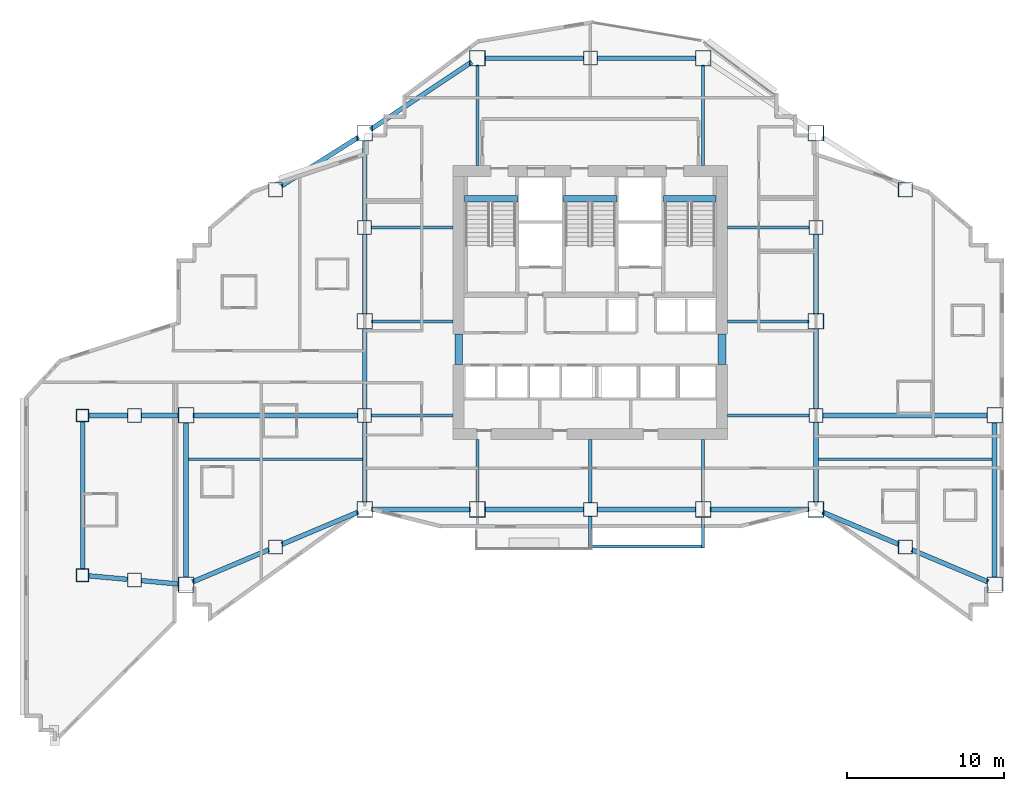
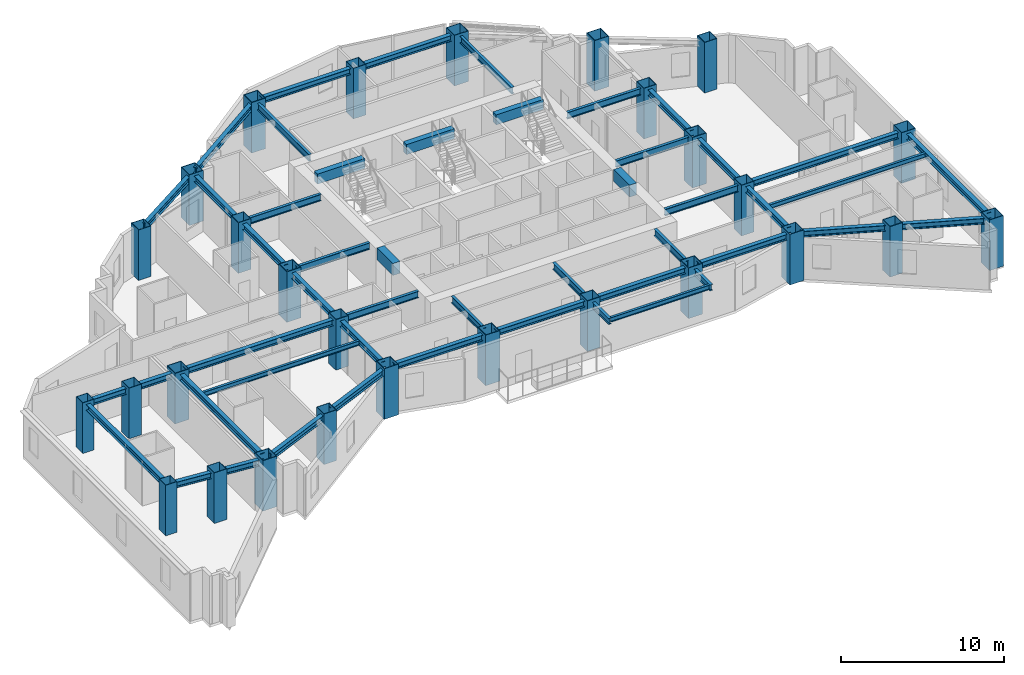
# One storey, part 1 of 14: 49 beams, 28 columns.
"""IFC4 building model written with IfcOpenShell, lengths in metres."""

from ifc_helpers import new_model, si_unit, direction, frame, origin, origin_2d, place, context, subcontext, project, spatial, rectangle, hollow_rectangle, i_section, extrude, material, material_profile, profile_set, type_object, element, save


model = new_model("IFC4")

# Units and contexts
model_context = context("Model", 3, precision=1e-05, world=origin(), true_north=direction((0.0, 1.0)))
body_context = subcontext(model_context, "Body", "Model", "MODEL_VIEW")
ifc_project = project(units=[si_unit("LENGTHUNIT", "METRE"), si_unit("AREAUNIT", "SQUARE_METRE"), si_unit("VOLUMEUNIT", "CUBIC_METRE"), si_unit("PLANEANGLEUNIT", "RADIAN"), si_unit("MASSUNIT", "GRAM", prefix="KILO")], contexts=[model_context])

# Site, building, storey
site_placement = place(None, origin())
site = spatial("IfcSite", under=ifc_project, at=site_placement, CompositionType="ELEMENT")
building_placement = place(site_placement, origin())
building = spatial("IfcBuilding", under=site, at=building_placement, Name="Haolan Belvedere Tower", CompositionType="ELEMENT")
storey_placement = place(building_placement, frame((0.0, 0.0, 113.60009765625)))
storey = spatial("IfcBuildingStorey", under=building, at=storey_placement, Name="L28", CompositionType="ELEMENT", Elevation=113.60009765625)

# Columns
ifc_material_1 = material(Name="Steel Q420GJC", Category="steel")
ifc_material_profile_1 = material_profile(ifc_material_1, hollow_rectangle(XDim=1.0, YDim=1.0, WallThickness=0.0380859375, at=origin_2d()), Name="Steel Q420GJC")
ifc_profile_set_1 = profile_set([ifc_material_profile_1], Name="Steel Q420GJC")
column_type_1 = type_object("IfcColumnType", Name="COL-BOX1000x1000x38", PredefinedType="COLUMN", material=ifc_profile_set_1)
for number, where, z_axis, x_axis, name in (
    (1, (24.0, 21.60009765625, 0.0), (0.0, 0.0, 1.0), (1.0, 0.0, 0.0), "L28 column MC-T3-SW (BOX1000x1000x38)"),
    (2, (24.0, 33.60009765625, 0.0), (0.0, 0.0, 1.0), (1.0, 0.0, 0.0), "L28 column MC-T3-MW (BOX1000x1000x38)"),
    (3, (24.0, 45.60009765625, 0.0), (0.0, 0.0, 1.0), (1.0, 0.0, 0.0), "L28 column MC-T3-NW (BOX1000x1000x38)"),
    (4, (52.800048828125, 21.60009765625, 0.0), (0.0, 0.0, 1.0), (1.0, 0.0, 0.0), "L28 column MC-T3-SE (BOX1000x1000x38)"),
    (5, (52.800048828125, 33.60009765625, 0.0), (0.0, 0.0, 1.0), (1.0, 0.0, 0.0), "L28 column MC-T3-ME (BOX1000x1000x38)"),
    (6, (52.800048828125, 45.60009765625, 0.0), (0.0, 0.0, 1.0), (1.0, 0.0, 0.0), "L28 column MC-T3-NE (BOX1000x1000x38)"),
    (7, (31.199951171875, 21.60009765625, 0.0), (0.0, 0.0, 1.0), (1.0, 0.0, 0.0), "L28 column MC-T3-S1 (BOX1000x1000x38)"),
    (8, (45.60009765625, 21.60009765625, 0.0), (0.0, 0.0, 1.0), (1.0, 0.0, 0.0), "L28 column MC-T3-S2 (BOX1000x1000x38)"),
    (9, (31.199951171875, 50.39990234375, 0.0), (0.0, 0.0, 1.0), (1.0, 0.0, 0.0), "L28 column MC-T3-N1 (BOX1000x1000x38)"),
    (10, (45.60009765625, 50.39990234375, 0.0), (0.0, 0.0, 1.0), (1.0, 0.0, 0.0), "L28 column MC-T3-N2 (BOX1000x1000x38)"),
    (11, (12.60009765625, 16.800048828125, 0.0), (0.0, 0.0, 1.0), (1.0, 0.0, 0.0), "L28 column MC-T2-SW (BOX1000x1000x38)"),
    (12, (12.60009765625, 27.60009765625, 0.0), (0.0, 0.0, 1.0), (1.0, 0.0, 0.0), "L28 column MC-T2-MW (BOX1000x1000x38)"),
    (13, (64.199951171875, 16.800048828125, 0.0), (0.0, 0.0, 1.0), (1.0, 0.0, 0.0), "L28 column MC-T4-SE (BOX1000x1000x38)"),
    (14, (64.199951171875, 27.60009765625, 0.0), (0.0, 0.0, 1.0), (1.0, 0.0, 0.0), "L28 column MC-T4-ME (BOX1000x1000x38)"),
):
    element("IfcColumn", number, at=place(storey_placement, frame(where, z_axis=z_axis, x_axis=x_axis)), inside=storey, type_object=column_type_1, Name=name, PredefinedType="COLUMN", context=body_context, shape_type="SweptSolid", body=[
        extrude(hollow_rectangle(XDim=1.0, YDim=1.0, WallThickness=0.0380859375, at=origin_2d()), origin(), (0.0, 0.0, 1.0), 3.7998046875),
    ])
ifc_material_2 = material(Name="Steel Q390GJC", Category="steel")
ifc_material_profile_2 = material_profile(ifc_material_2, hollow_rectangle(XDim=0.800048828125, YDim=0.800048828125, WallThickness=0.030029296875, at=origin_2d()), Name="Steel Q390GJC")
ifc_profile_set_2 = profile_set([ifc_material_profile_2], Name="Steel Q390GJC")
column_type_2 = type_object("IfcColumnType", Name="COL-BOX800x800x30", PredefinedType="COLUMN", material=ifc_profile_set_2)
for number, where, z_axis, x_axis, name in (
    (15, (6.0, 17.39990234375, 0.0), (0.0, 0.0, 1.0), (1.0, 0.0, 0.0), "L28 column MC-T1-SW (BOX800x800x30)"),
    (16, (6.0, 27.60009765625, 0.0), (0.0, 0.0, 1.0), (1.0, 0.0, 0.0), "L28 column MC-T1-NW (BOX800x800x30)"),
):
    element("IfcColumn", number, at=place(storey_placement, frame(where, z_axis=z_axis, x_axis=x_axis)), inside=storey, type_object=column_type_2, Name=name, PredefinedType="COLUMN", context=body_context, shape_type="SweptSolid", body=[
        extrude(hollow_rectangle(XDim=0.800048828125, YDim=0.800048828125, WallThickness=0.030029296875, at=origin_2d()), origin(), (0.0, 0.0, 1.0), 3.7998046875),
    ])
ifc_material_profile_3 = material_profile(ifc_material_2, hollow_rectangle(XDim=0.89990234375, YDim=0.89990234375, WallThickness=0.033935546875, at=origin_2d()), Name="Steel Q390GJC")
ifc_profile_set_3 = profile_set([ifc_material_profile_3], Name="Steel Q390GJC")
column_type_3 = type_object("IfcColumnType", Name="COL-BOX900x900x34", PredefinedType="COLUMN", material=ifc_profile_set_3)
for number, where, z_axis, x_axis, name in (
    (17, (24.0, 27.60009765625, 0.0), (0.0, 0.0, 1.0), (1.0, 0.0, 0.0), "L28 column TC-T3-W1 (BOX900x900x34)"),
    (18, (24.0, 39.60009765625, 0.0), (0.0, 0.0, 1.0), (1.0, 0.0, 0.0), "L28 column TC-T3-W2 (BOX900x900x34)"),
    (19, (52.800048828125, 27.60009765625, 0.0), (0.0, 0.0, 1.0), (1.0, 0.0, 0.0), "L28 column TC-T3-E1 (BOX900x900x34)"),
    (20, (52.800048828125, 39.60009765625, 0.0), (0.0, 0.0, 1.0), (1.0, 0.0, 0.0), "L28 column TC-T3-E2 (BOX900x900x34)"),
    (21, (38.39990234375, 21.60009765625, 0.0), (0.0, 0.0, 1.0), (1.0, 0.0, 0.0), "L28 column TC-T3-SM (BOX900x900x34)"),
    (22, (38.39990234375, 50.39990234375, 0.0), (0.0, 0.0, 1.0), (1.0, 0.0, 0.0), "L28 column TC-T3-NM (BOX900x900x34)"),
    (23, (18.300048828125, 19.199951171875, 0.0), (0.0, 0.0, 1.0), (1.0, 0.0, 0.0), "L28 column TC-T2-S1 (BOX900x900x34)"),
    (24, (18.300048828125, 42.0, 0.0), (0.0, 0.0, 1.0), (1.0, 0.0, 0.0), "L28 column TC-T2-N1 (BOX900x900x34)"),
    (25, (58.5, 19.199951171875, 0.0), (0.0, 0.0, 1.0), (1.0, 0.0, 0.0), "L28 column TC-T4-S1 (BOX900x900x34)"),
    (26, (58.5, 42.0, 0.0), (0.0, 0.0, 1.0), (1.0, 0.0, 0.0), "L28 column TC-T4-N1 (BOX900x900x34)"),
    (27, (9.300048828125, 17.10009765625, 0.0), (0.0, 0.0, 1.0), (1.0, 0.0, 0.0), "L28 column TC-T1-M1 (BOX900x900x34)"),
    (28, (9.300048828125, 27.60009765625, 0.0), (0.0, 0.0, 1.0), (1.0, 0.0, 0.0), "L28 column TC-T1-M2 (BOX900x900x34)"),
):
    element("IfcColumn", number, at=place(storey_placement, frame(where, z_axis=z_axis, x_axis=x_axis)), inside=storey, type_object=column_type_3, Name=name, PredefinedType="COLUMN", context=body_context, shape_type="SweptSolid", body=[
        extrude(hollow_rectangle(XDim=0.89990234375, YDim=0.89990234375, WallThickness=0.033935546875, at=origin_2d()), origin(), (0.0, 0.0, 1.0), 3.7998046875),
    ])

# Beams
ifc_material_3 = material(Name="Steel Q355B", Category="steel")
ifc_material_profile_4 = material_profile(ifc_material_3, i_section(OverallWidth=0.300048828125, OverallDepth=0.43994140625, WebThickness=0.010986328125, FlangeThickness=0.01806640625, FilletRadius=0.02392578125, at=origin_2d()), Name="Steel Q355B")
ifc_profile_set_4 = profile_set([ifc_material_profile_4], Name="Steel Q355B")
beam_type_1 = type_object("IfcBeamType", Name="BM-HM440x300x11x18", PredefinedType="SPANDREL", material=ifc_profile_set_4)
for number, where, z_axis, x_axis, name in (
    (29, (24.0, 22.050048828125, 3.3798828125), (0.0, 1.0, 0.0), (-1.0, 0.0, 0.0), "L28 spandrel girder MC-T3-SW-TC-T3-W1"),
    (30, (24.0, 28.050048828125, 3.3798828125), (0.0, 1.0, 0.0), (-1.0, 0.0, 0.0), "L28 spandrel girder TC-T3-W1-MC-T3-MW"),
    (31, (24.0, 34.050048828125, 3.3798828125), (0.0, 1.0, 0.0), (-1.0, 0.0, 0.0), "L28 spandrel girder MC-T3-MW-TC-T3-W2"),
    (32, (24.0, 40.050048828125, 3.3798828125), (0.0, 1.0, 0.0), (-1.0, 0.0, 0.0), "L28 spandrel girder TC-T3-W2-MC-T3-NW"),
    (33, (52.800048828125, 22.050048828125, 3.3798828125), (0.0, 1.0, 0.0), (-1.0, 0.0, 0.0), "L28 spandrel girder MC-T3-SE-TC-T3-E1"),
    (34, (52.800048828125, 28.050048828125, 3.3798828125), (0.0, 1.0, 0.0), (-1.0, 0.0, 0.0), "L28 spandrel girder TC-T3-E1-MC-T3-ME"),
    (35, (52.800048828125, 34.050048828125, 3.3798828125), (0.0, 1.0, 0.0), (-1.0, 0.0, 0.0), "L28 spandrel girder MC-T3-ME-TC-T3-E2"),
):
    element("IfcBeam", number, at=place(storey_placement, frame(where, z_axis=z_axis, x_axis=x_axis)), inside=storey, type_object=beam_type_1, Name=name, PredefinedType="SPANDREL", context=body_context, shape_type="SweptSolid", body=[
        extrude(i_section(OverallWidth=0.300048828125, OverallDepth=0.43994140625, WebThickness=0.010986328125, FlangeThickness=0.01806640625, FilletRadius=0.02392578125, at=origin_2d()), origin(), (0.0, 0.0, 1.0), 5.099853515625),
    ])
for number, where, z_axis, x_axis, name in (
    (36, (24.449951171875, 21.60009765625, 3.3798828125), (1.0, 0.0, 0.0), (0.0, 1.0, 0.0), "L28 spandrel girder MC-T3-SW-MC-T3-S1"),
    (37, (31.64990234375, 21.60009765625, 3.3798828125), (1.0, 0.0, 0.0), (0.0, 1.0, 0.0), "L28 spandrel girder MC-T3-S1-TC-T3-SM"),
):
    element("IfcBeam", number, at=place(storey_placement, frame(where, z_axis=z_axis, x_axis=x_axis)), inside=storey, type_object=beam_type_1, Name=name, PredefinedType="SPANDREL", context=body_context, shape_type="SweptSolid", body=[
        extrude(i_section(OverallWidth=0.300048828125, OverallDepth=0.43994140625, WebThickness=0.010986328125, FlangeThickness=0.01806640625, FilletRadius=0.02392578125, at=origin_2d()), origin(), (0.0, 0.0, 1.0), 6.300048828125),
    ])
beam_1_placement = place(storey_placement, frame((38.85009765625, 21.60009765625, 3.3798828125), z_axis=(1.0, 0.0, 0.0), x_axis=(0.0, 1.0, 0.0)))
element("IfcBeam", 38, at=beam_1_placement, inside=storey, type_object=beam_type_1, Name="L28 spandrel girder TC-T3-SM-MC-T3-S2", PredefinedType="SPANDREL", context=body_context, shape_type="SweptSolid", body=[
    extrude(i_section(OverallWidth=0.300048828125, OverallDepth=0.43994140625, WebThickness=0.010986328125, FlangeThickness=0.01806640625, FilletRadius=0.02392578125, at=origin_2d()), origin(), (0.0, 0.0, 1.0), 6.2998046875),
])
beam_2_placement = place(storey_placement, frame((46.050048828125, 21.60009765625, 3.3798828125), z_axis=(1.0, 0.0, 0.0), x_axis=(0.0, 1.0, 0.0)))
element("IfcBeam", 39, at=beam_2_placement, inside=storey, type_object=beam_type_1, Name="L28 spandrel girder MC-T3-S2-MC-T3-SE", PredefinedType="SPANDREL", context=body_context, shape_type="SweptSolid", body=[
    extrude(i_section(OverallWidth=0.300048828125, OverallDepth=0.43994140625, WebThickness=0.010986328125, FlangeThickness=0.01806640625, FilletRadius=0.02392578125, at=origin_2d()), origin(), (0.0, 0.0, 1.0), 6.300048828125),
])
beam_3_placement = place(storey_placement, frame((24.37451171875, 45.849609375, 3.3798828125), z_axis=(0.832050294338, 0.554700196225, 0.0), x_axis=(-0.554700196225, 0.832050294338, 0.0)))
element("IfcBeam", 40, at=beam_3_placement, inside=storey, type_object=beam_type_1, Name="L28 spandrel girder MC-T3-NW-MC-T3-N1", PredefinedType="SPANDREL", context=body_context, shape_type="SweptSolid", body=[
    extrude(i_section(OverallWidth=0.300048828125, OverallDepth=0.43994140625, WebThickness=0.010986328125, FlangeThickness=0.01806640625, FilletRadius=0.02392578125, at=origin_2d()), origin(), (0.0, 0.0, 1.0), 7.75341796875),
])
beam_4_placement = place(storey_placement, frame((31.64990234375, 50.39990234375, 3.3798828125), z_axis=(1.0, 0.0, 0.0), x_axis=(0.0, 1.0, 0.0)))
element("IfcBeam", 41, at=beam_4_placement, inside=storey, type_object=beam_type_1, Name="L28 spandrel girder MC-T3-N1-TC-T3-NM", PredefinedType="SPANDREL", context=body_context, shape_type="SweptSolid", body=[
    extrude(i_section(OverallWidth=0.300048828125, OverallDepth=0.43994140625, WebThickness=0.010986328125, FlangeThickness=0.01806640625, FilletRadius=0.02392578125, at=origin_2d()), origin(), (0.0, 0.0, 1.0), 6.300048828125),
])
beam_5_placement = place(storey_placement, frame((38.85009765625, 50.39990234375, 3.3798828125), z_axis=(1.0, 0.0, 0.0), x_axis=(0.0, 1.0, 0.0)))
element("IfcBeam", 42, at=beam_5_placement, inside=storey, type_object=beam_type_1, Name="L28 spandrel girder TC-T3-NM-MC-T3-N2", PredefinedType="SPANDREL", context=body_context, shape_type="SweptSolid", body=[
    extrude(i_section(OverallWidth=0.300048828125, OverallDepth=0.43994140625, WebThickness=0.010986328125, FlangeThickness=0.01806640625, FilletRadius=0.02392578125, at=origin_2d()), origin(), (0.0, 0.0, 1.0), 6.2998046875),
])
beam_6_placement = place(storey_placement, frame((12.60009765625, 17.25, 3.3798828125), z_axis=(0.0, 1.0, 0.0), x_axis=(-1.0, 0.0, 0.0)))
element("IfcBeam", 43, at=beam_6_placement, inside=storey, type_object=beam_type_1, Name="L28 spandrel girder MC-T2-SW-MC-T2-MW", PredefinedType="SPANDREL", context=body_context, shape_type="SweptSolid", body=[
    extrude(i_section(OverallWidth=0.300048828125, OverallDepth=0.43994140625, WebThickness=0.010986328125, FlangeThickness=0.01806640625, FilletRadius=0.02392578125, at=origin_2d()), origin(), (0.0, 0.0, 1.0), 9.89990234375),
])
beam_7_placement = place(storey_placement, frame((13.0146484375, 16.974609375, 3.3798828125), z_axis=(0.921635375138, 0.388057000058, 0.0), x_axis=(-0.388057000058, 0.921635375138, 0.0)))
element("IfcBeam", 44, at=beam_7_placement, inside=storey, type_object=beam_type_1, Name="L28 spandrel girder MC-T2-SW-TC-T2-S1", PredefinedType="SPANDREL", context=body_context, shape_type="SweptSolid", body=[
    extrude(i_section(OverallWidth=0.300048828125, OverallDepth=0.43994140625, WebThickness=0.010986328125, FlangeThickness=0.01806640625, FilletRadius=0.02392578125, at=origin_2d()), origin(), (0.0, 0.0, 1.0), 5.28466796875),
])
beam_8_placement = place(storey_placement, frame((18.71484375, 19.37451171875, 3.3798828125), z_axis=(0.92162841793, 0.388073523014, 0.0), x_axis=(-0.388073523014, 0.92162841793, 0.0)))
element("IfcBeam", 45, at=beam_8_placement, inside=storey, type_object=beam_type_1, Name="L28 spandrel girder TC-T2-S1-MC-T3-SW", PredefinedType="SPANDREL", context=body_context, shape_type="SweptSolid", body=[
    extrude(i_section(OverallWidth=0.300048828125, OverallDepth=0.43994140625, WebThickness=0.010986328125, FlangeThickness=0.01806640625, FilletRadius=0.02392578125, at=origin_2d()), origin(), (0.0, 0.0, 1.0), 5.284423828125),
])
beam_9_placement = place(storey_placement, frame((18.680419921875, 42.240234375, 3.3798828125), z_axis=(0.845497840649, 0.533978839898, 0.0), x_axis=(-0.533978839898, 0.845497840649, 0.0)))
element("IfcBeam", 46, at=beam_9_placement, inside=storey, type_object=beam_type_1, Name="L28 spandrel girder TC-T2-N1-MC-T3-NW", PredefinedType="SPANDREL", context=body_context, shape_type="SweptSolid", body=[
    extrude(i_section(OverallWidth=0.300048828125, OverallDepth=0.43994140625, WebThickness=0.010986328125, FlangeThickness=0.01806640625, FilletRadius=0.02392578125, at=origin_2d()), origin(), (0.0, 0.0, 1.0), 5.841796875),
])
beam_10_placement = place(storey_placement, frame((13.050048828125, 27.60009765625, 3.3798828125), z_axis=(1.0, 0.0, 0.0), x_axis=(0.0, 1.0, 0.0)))
element("IfcBeam", 47, at=beam_10_placement, inside=storey, type_object=beam_type_1, Name="L28 spandrel girder MC-T2-MW-TC-T3-W1", PredefinedType="SPANDREL", context=body_context, shape_type="SweptSolid", body=[
    extrude(i_section(OverallWidth=0.300048828125, OverallDepth=0.43994140625, WebThickness=0.010986328125, FlangeThickness=0.01806640625, FilletRadius=0.02392578125, at=origin_2d()), origin(), (0.0, 0.0, 1.0), 10.5),
])
beam_11_placement = place(storey_placement, frame((64.199951171875, 17.25, 3.3798828125), z_axis=(0.0, 1.0, 0.0), x_axis=(-1.0, 0.0, 0.0)))
element("IfcBeam", 48, at=beam_11_placement, inside=storey, type_object=beam_type_1, Name="L28 spandrel girder MC-T4-SE-MC-T4-ME", PredefinedType="SPANDREL", context=body_context, shape_type="SweptSolid", body=[
    extrude(i_section(OverallWidth=0.300048828125, OverallDepth=0.43994140625, WebThickness=0.010986328125, FlangeThickness=0.01806640625, FilletRadius=0.02392578125, at=origin_2d()), origin(), (0.0, 0.0, 1.0), 9.89990234375),
])
for number, where, z_axis, x_axis, name in (
    (49, (53.21484375, 21.42529296875, 3.3798828125), (0.92162841793, -0.388073523014, 0.0), (0.388073523014, 0.92162841793, 0.0), "L28 spandrel girder MC-T3-SE-TC-T4-S1"),
    (50, (58.914794921875, 19.025390625, 3.3798828125), (0.92162841793, -0.388073523014, 0.0), (0.388073523014, 0.92162841793, 0.0), "L28 spandrel girder TC-T4-S1-MC-T4-SE"),
):
    element("IfcBeam", number, at=place(storey_placement, frame(where, z_axis=z_axis, x_axis=x_axis)), inside=storey, type_object=beam_type_1, Name=name, PredefinedType="SPANDREL", context=body_context, shape_type="SweptSolid", body=[
        extrude(i_section(OverallWidth=0.300048828125, OverallDepth=0.43994140625, WebThickness=0.010986328125, FlangeThickness=0.01806640625, FilletRadius=0.02392578125, at=origin_2d()), origin(), (0.0, 0.0, 1.0), 5.284423828125),
    ])
beam_12_placement = place(storey_placement, frame((53.25, 27.60009765625, 3.3798828125), z_axis=(1.0, 0.0, 0.0), x_axis=(0.0, 1.0, 0.0)))
element("IfcBeam", 51, at=beam_12_placement, inside=storey, type_object=beam_type_1, Name="L28 spandrel girder TC-T3-E1-MC-T4-ME", PredefinedType="SPANDREL", context=body_context, shape_type="SweptSolid", body=[
    extrude(i_section(OverallWidth=0.300048828125, OverallDepth=0.43994140625, WebThickness=0.010986328125, FlangeThickness=0.01806640625, FilletRadius=0.02392578125, at=origin_2d()), origin(), (0.0, 0.0, 1.0), 10.5),
])
beam_13_placement = place(storey_placement, frame((6.0, 17.800048828125, 3.3798828125), z_axis=(0.0, 1.0, 0.0), x_axis=(-1.0, 0.0, 0.0)))
element("IfcBeam", 52, at=beam_13_placement, inside=storey, type_object=beam_type_1, Name="L28 spandrel girder MC-T1-SW-MC-T1-NW", PredefinedType="SPANDREL", context=body_context, shape_type="SweptSolid", body=[
    extrude(i_section(OverallWidth=0.300048828125, OverallDepth=0.43994140625, WebThickness=0.010986328125, FlangeThickness=0.01806640625, FilletRadius=0.02392578125, at=origin_2d()), origin(), (0.0, 0.0, 1.0), 9.39990234375),
])
beam_14_placement = place(storey_placement, frame((6.3984375, 17.36376953125, 3.3798828125), z_axis=(0.995889143855, -0.090580423672, 0.0), x_axis=(0.090580423672, 0.995889143855, 0.0)))
element("IfcBeam", 53, at=beam_14_placement, inside=storey, type_object=beam_type_1, Name="L28 spandrel girder MC-T1-SW-TC-T1-M1", PredefinedType="SPANDREL", context=body_context, shape_type="SweptSolid", body=[
    extrude(i_section(OverallWidth=0.300048828125, OverallDepth=0.43994140625, WebThickness=0.010986328125, FlangeThickness=0.01806640625, FilletRadius=0.02392578125, at=origin_2d()), origin(), (0.0, 0.0, 1.0), 2.46337890625),
])
beam_15_placement = place(storey_placement, frame((9.748046875, 17.059326171875, 3.3798828125), z_axis=(0.9958940355, -0.090526626221, 0.0), x_axis=(0.090526626221, 0.9958940355, 0.0)))
element("IfcBeam", 54, at=beam_15_placement, inside=storey, type_object=beam_type_1, Name="L28 spandrel girder TC-T1-M1-MC-T2-SW", PredefinedType="SPANDREL", context=body_context, shape_type="SweptSolid", body=[
    extrude(i_section(OverallWidth=0.300048828125, OverallDepth=0.43994140625, WebThickness=0.010986328125, FlangeThickness=0.01806640625, FilletRadius=0.02392578125, at=origin_2d()), origin(), (0.0, 0.0, 1.0), 2.413818359375),
])
beam_16_placement = place(storey_placement, frame((6.39990234375, 27.60009765625, 3.3798828125), z_axis=(1.0, 0.0, 0.0), x_axis=(0.0, 1.0, 0.0)))
element("IfcBeam", 55, at=beam_16_placement, inside=storey, type_object=beam_type_1, Name="L28 spandrel girder MC-T1-NW-TC-T1-M2", PredefinedType="SPANDREL", context=body_context, shape_type="SweptSolid", body=[
    extrude(i_section(OverallWidth=0.300048828125, OverallDepth=0.43994140625, WebThickness=0.010986328125, FlangeThickness=0.01806640625, FilletRadius=0.02392578125, at=origin_2d()), origin(), (0.0, 0.0, 1.0), 2.4501953125),
])
beam_17_placement = place(storey_placement, frame((9.75, 27.60009765625, 3.3798828125), z_axis=(1.0, 0.0, 0.0), x_axis=(0.0, 1.0, 0.0)))
element("IfcBeam", 56, at=beam_17_placement, inside=storey, type_object=beam_type_1, Name="L28 spandrel girder TC-T1-M2-MC-T2-MW", PredefinedType="SPANDREL", context=body_context, shape_type="SweptSolid", body=[
    extrude(i_section(OverallWidth=0.300048828125, OverallDepth=0.43994140625, WebThickness=0.010986328125, FlangeThickness=0.01806640625, FilletRadius=0.02392578125, at=origin_2d()), origin(), (0.0, 0.0, 1.0), 2.39990234375),
])
ifc_material_profile_5 = material_profile(ifc_material_3, i_section(OverallWidth=0.175048828125, OverallDepth=0.35009765625, WebThickness=0.007080078125, FlangeThickness=0.010986328125, FilletRadius=0.012939453125, at=origin_2d()), Name="Steel Q355B")
ifc_profile_set_5 = profile_set([ifc_material_profile_5], Name="Steel Q355B")
beam_type_2 = type_object("IfcBeamType", Name="BM-HN350x175x7x11", PredefinedType="JOIST", material=ifc_profile_set_5)
for number, where, z_axis, x_axis, name in (
    (57, (12.75, 24.800048828125, 3.4248046875), (1.0, 0.0, 0.0), (0.0, 1.0, 0.0), "L28 west wing floor joist 1"),
    (58, (52.949951171875, 24.800048828125, 3.4248046875), (1.0, 0.0, 0.0), (0.0, 1.0, 0.0), "L28 east wing floor joist 1"),
):
    element("IfcBeam", number, at=place(storey_placement, frame(where, z_axis=z_axis, x_axis=x_axis)), inside=storey, type_object=beam_type_2, Name=name, PredefinedType="JOIST", context=body_context, shape_type="SweptSolid", body=[
        extrude(i_section(OverallWidth=0.175048828125, OverallDepth=0.35009765625, WebThickness=0.007080078125, FlangeThickness=0.010986328125, FilletRadius=0.012939453125, at=origin_2d()), origin(), (0.0, 0.0, 1.0), 11.10009765625),
    ])
beam_18_placement = place(storey_placement, frame((38.5, 19.239990234375, 3.39501953125), z_axis=(1.0, 0.0, 0.0), x_axis=(0.0, 1.0, 0.0)))
element("IfcBeam", 59, at=beam_18_placement, inside=storey, type_object=beam_type_2, Name="L29 tree-balcony front trimmer beam 1", PredefinedType="BEAM", context=body_context, shape_type="SweptSolid", body=[
    extrude(i_section(OverallWidth=0.175048828125, OverallDepth=0.35009765625, WebThickness=0.007080078125, FlangeThickness=0.010986328125, FilletRadius=0.012939453125, at=origin_2d()), origin(), (0.0, 0.0, 1.0), 7.0),
])
ifc_material_profile_6 = material_profile(ifc_material_3, i_section(OverallWidth=0.199951171875, OverallDepth=0.449951171875, WebThickness=0.009033203125, FlangeThickness=0.013916015625, FilletRadius=0.01611328125, at=origin_2d()), Name="Steel Q355B")
ifc_profile_set_6 = profile_set([ifc_material_profile_6], Name="Steel Q355B")
beam_type_3 = type_object("IfcBeamType", Name="BM-HN450x200x9x14", PredefinedType="BEAM", material=ifc_profile_set_6)
beam_19_placement = place(storey_placement, frame((38.39990234375, 21.14990234375, 3.344970703125), z_axis=(0.0, -1.0, 0.0), x_axis=(1.0, 0.0, 0.0)))
element("IfcBeam", 60, at=beam_19_placement, inside=storey, type_object=beam_type_3, Name="L29 tree-balcony column cantilever TC-T3-SM", PredefinedType="BEAM", context=body_context, shape_type="SweptSolid", body=[
    extrude(i_section(OverallWidth=0.199951171875, OverallDepth=0.449951171875, WebThickness=0.009033203125, FlangeThickness=0.013916015625, FilletRadius=0.01611328125, at=origin_2d()), origin(), (0.0, 0.0, 1.0), 2.010009765625),
])
beam_20_placement = place(storey_placement, frame((45.60009765625, 21.10009765625, 3.344970703125), z_axis=(0.0, -1.0, 0.0), x_axis=(1.0, 0.0, 0.0)))
element("IfcBeam", 61, at=beam_20_placement, inside=storey, type_object=beam_type_3, Name="L29 tree-balcony column cantilever MC-T3-S2", PredefinedType="BEAM", context=body_context, shape_type="SweptSolid", body=[
    extrude(i_section(OverallWidth=0.199951171875, OverallDepth=0.449951171875, WebThickness=0.009033203125, FlangeThickness=0.013916015625, FilletRadius=0.01611328125, at=origin_2d()), origin(), (0.0, 0.0, 1.0), 1.960205078125),
])
ifc_material_profile_7 = material_profile(ifc_material_3, i_section(OverallWidth=0.199951171875, OverallDepth=0.5, WebThickness=0.010009765625, FlangeThickness=0.01611328125, FilletRadius=0.02001953125, at=origin_2d()), Name="Steel Q355B")
ifc_profile_set_7 = profile_set([ifc_material_profile_7], Name="Steel Q355B")
beam_type_4 = type_object("IfcBeamType", Name="BM-HN500x200x10x16", PredefinedType="BEAM", material=ifc_profile_set_7)
for number, where, z_axis, x_axis, name in (
    (62, (24.449951171875, 33.60009765625, 3.349853515625), (1.0, 0.0, 0.0), (0.0, 1.0, 0.0), "L28 core tie beam from MC-T3-MW"),
    (63, (24.449951171875, 27.60009765625, 3.349853515625), (1.0, 0.0, 0.0), (0.0, 1.0, 0.0), "L28 core tie beam from TC-T3-W1"),
    (64, (24.449951171875, 39.60009765625, 3.349853515625), (1.0, 0.0, 0.0), (0.0, 1.0, 0.0), "L28 core tie beam from TC-T3-W2"),
):
    element("IfcBeam", number, at=place(storey_placement, frame(where, z_axis=z_axis, x_axis=x_axis)), inside=storey, type_object=beam_type_4, Name=name, PredefinedType="BEAM", context=body_context, shape_type="SweptSolid", body=[
        extrude(i_section(OverallWidth=0.199951171875, OverallDepth=0.5, WebThickness=0.010009765625, FlangeThickness=0.01611328125, FilletRadius=0.02001953125, at=origin_2d()), origin(), (0.0, 0.0, 1.0), 5.199951171875),
    ])
for number, where, z_axis, x_axis, name in (
    (65, (52.35009765625, 33.60009765625, 3.349853515625), (-1.0, 0.0, 0.0), (0.0, -1.0, 0.0), "L28 core tie beam from MC-T3-ME"),
    (66, (52.35009765625, 27.60009765625, 3.349853515625), (-1.0, 0.0, 0.0), (0.0, -1.0, 0.0), "L28 core tie beam from TC-T3-E1"),
    (67, (52.35009765625, 39.60009765625, 3.349853515625), (-1.0, 0.0, 0.0), (0.0, -1.0, 0.0), "L28 core tie beam from TC-T3-E2"),
):
    element("IfcBeam", number, at=place(storey_placement, frame(where, z_axis=z_axis, x_axis=x_axis)), inside=storey, type_object=beam_type_4, Name=name, PredefinedType="BEAM", context=body_context, shape_type="SweptSolid", body=[
        extrude(i_section(OverallWidth=0.199951171875, OverallDepth=0.5, WebThickness=0.010009765625, FlangeThickness=0.01611328125, FilletRadius=0.02001953125, at=origin_2d()), origin(), (0.0, 0.0, 1.0), 5.2001953125),
    ])
for number, where, z_axis, x_axis, name in (
    (68, (31.199951171875, 22.050048828125, 3.349853515625), (0.0, 1.0, 0.0), (-1.0, 0.0, 0.0), "L28 core tie beam from MC-T3-S1"),
    (69, (38.39990234375, 22.050048828125, 3.349853515625), (0.0, 1.0, 0.0), (-1.0, 0.0, 0.0), "L28 core tie beam from TC-T3-SM"),
    (70, (45.60009765625, 22.050048828125, 3.349853515625), (0.0, 1.0, 0.0), (-1.0, 0.0, 0.0), "L28 core tie beam from MC-T3-S2"),
):
    element("IfcBeam", number, at=place(storey_placement, frame(where, z_axis=z_axis, x_axis=x_axis)), inside=storey, type_object=beam_type_4, Name=name, PredefinedType="BEAM", context=body_context, shape_type="SweptSolid", body=[
        extrude(i_section(OverallWidth=0.199951171875, OverallDepth=0.5, WebThickness=0.010009765625, FlangeThickness=0.01611328125, FilletRadius=0.02001953125, at=origin_2d()), origin(), (0.0, 0.0, 1.0), 4.0),
    ])
for number, where, z_axis, x_axis, name in (
    (71, (31.199951171875, 49.949951171875, 3.349853515625), (0.0, -1.0, 0.0), (1.0, 0.0, 0.0), "L28 core tie beam from MC-T3-N1"),
    (72, (45.60009765625, 49.949951171875, 3.349853515625), (0.0, -1.0, 0.0), (1.0, 0.0, 0.0), "L28 core tie beam from MC-T3-N2"),
):
    element("IfcBeam", number, at=place(storey_placement, frame(where, z_axis=z_axis, x_axis=x_axis)), inside=storey, type_object=beam_type_4, Name=name, PredefinedType="BEAM", context=body_context, shape_type="SweptSolid", body=[
        extrude(i_section(OverallWidth=0.199951171875, OverallDepth=0.5, WebThickness=0.010009765625, FlangeThickness=0.01611328125, FilletRadius=0.02001953125, at=origin_2d()), origin(), (0.0, 0.0, 1.0), 6.39990234375),
    ])
ifc_material_4 = material(Name="Concrete C50/60", Category="concrete")
ifc_material_profile_8 = material_profile(ifc_material_4, rectangle(XDim=0.39990234375, YDim=0.75, at=origin_2d()), Name="Concrete C50/60")
ifc_profile_set_8 = profile_set([ifc_material_profile_8], Name="Concrete C50/60")
beam_type_5 = type_object("IfcBeamType", Name="BM-RC400x750", PredefinedType="T_BEAM", material=ifc_profile_set_8)
beam_21_placement = place(storey_placement, frame((30.3798828125, 41.429931640625, 3.4248046875), z_axis=(1.0, 0.0, 0.0), x_axis=(0.0, 1.0, 0.0)))
element("IfcBeam", 73, at=beam_21_placement, inside=storey, type_object=beam_type_5, Name="L29 stair ST1 RC header trimmer beam", PredefinedType="BEAM", context=body_context, shape_type="SweptSolid", body=[
    extrude(rectangle(XDim=0.39990234375, YDim=0.75, at=origin_2d()), origin(), (0.0, 0.0, 1.0), 3.360107421875),
])
beam_22_placement = place(storey_placement, frame((36.699951171875, 41.429931640625, 3.4248046875), z_axis=(1.0, 0.0, 0.0), x_axis=(0.0, 1.0, 0.0)))
element("IfcBeam", 74, at=beam_22_placement, inside=storey, type_object=beam_type_5, Name="L29 stair ST3 RC header trimmer beam", PredefinedType="BEAM", context=body_context, shape_type="SweptSolid", body=[
    extrude(rectangle(XDim=0.39990234375, YDim=0.75, at=origin_2d()), origin(), (0.0, 0.0, 1.0), 3.400146484375),
])
beam_23_placement = place(storey_placement, frame((43.06005859375, 41.429931640625, 3.4248046875), z_axis=(1.0, 0.0, 0.0), x_axis=(0.0, 1.0, 0.0)))
element("IfcBeam", 75, at=beam_23_placement, inside=storey, type_object=beam_type_5, Name="L29 stair ST2 RC header trimmer beam", PredefinedType="BEAM", context=body_context, shape_type="SweptSolid", body=[
    extrude(rectangle(XDim=0.39990234375, YDim=0.75, at=origin_2d()), origin(), (0.0, 0.0, 1.0), 3.35986328125),
])
ifc_material_5 = material(Name="Concrete C60/75", Category="concrete")
ifc_material_profile_9 = material_profile(ifc_material_5, rectangle(XDim=0.5, YDim=0.89990234375, at=origin_2d()), Name="Concrete C60/75")
ifc_profile_set_9 = profile_set([ifc_material_profile_9], Name="Concrete C60/75")
beam_type_6 = type_object("IfcBeamType", Name="BM-RC500x900", PredefinedType="LINTEL", material=ifc_profile_set_9)
for number, where, z_axis, x_axis, name in (
    (76, (30.0, 30.85009765625, 3.14990234375), (0.0, 1.0, 0.0), (-1.0, 0.0, 0.0), "L28 west core coupling beam CB-01"),
    (77, (46.800048828125, 30.85009765625, 3.14990234375), (0.0, 1.0, 0.0), (-1.0, 0.0, 0.0), "L28 east core coupling beam CB-01"),
):
    element("IfcBeam", number, at=place(storey_placement, frame(where, z_axis=z_axis, x_axis=x_axis)), inside=storey, type_object=beam_type_6, Name=name, PredefinedType="LINTEL", context=body_context, shape_type="SweptSolid", body=[
        extrude(rectangle(XDim=0.5, YDim=0.89990234375, at=origin_2d()), origin(), (0.0, 0.0, 1.0), 1.949951171875),
    ])

save(model, "model.ifc")
